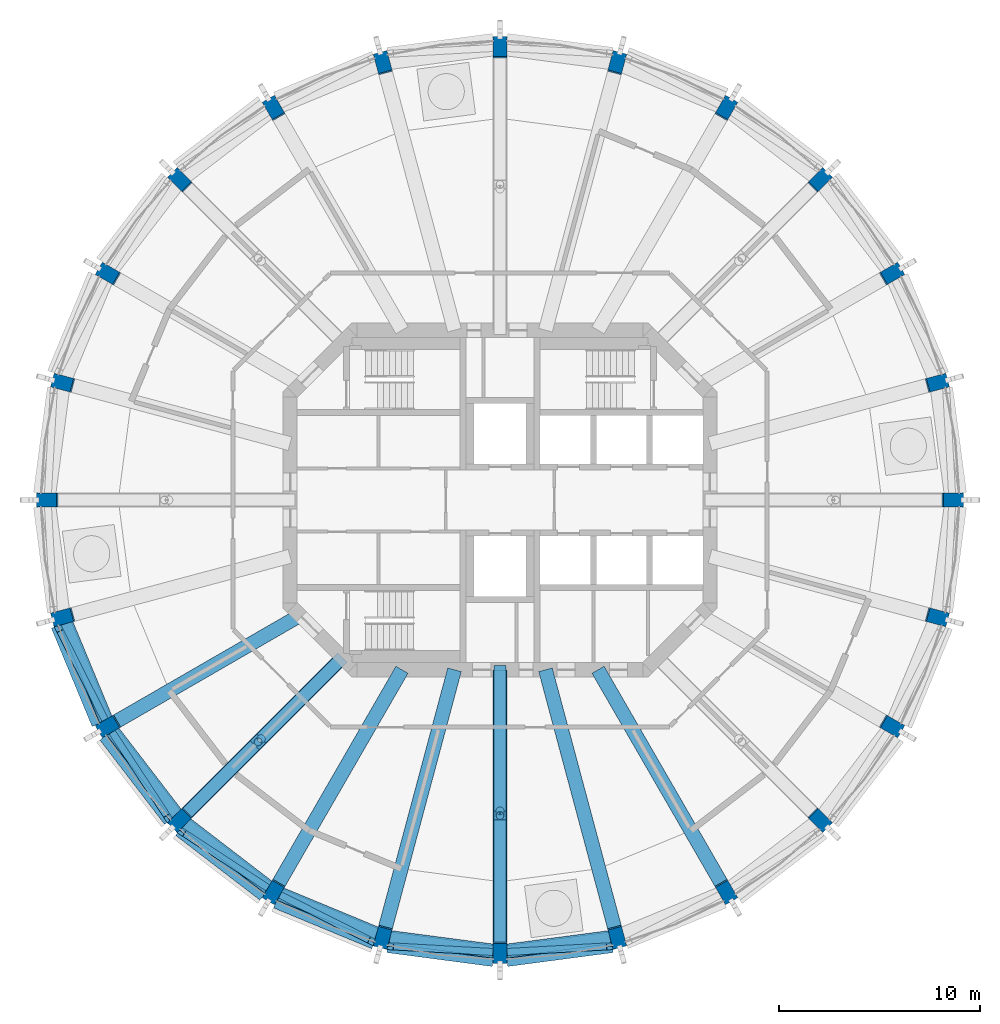
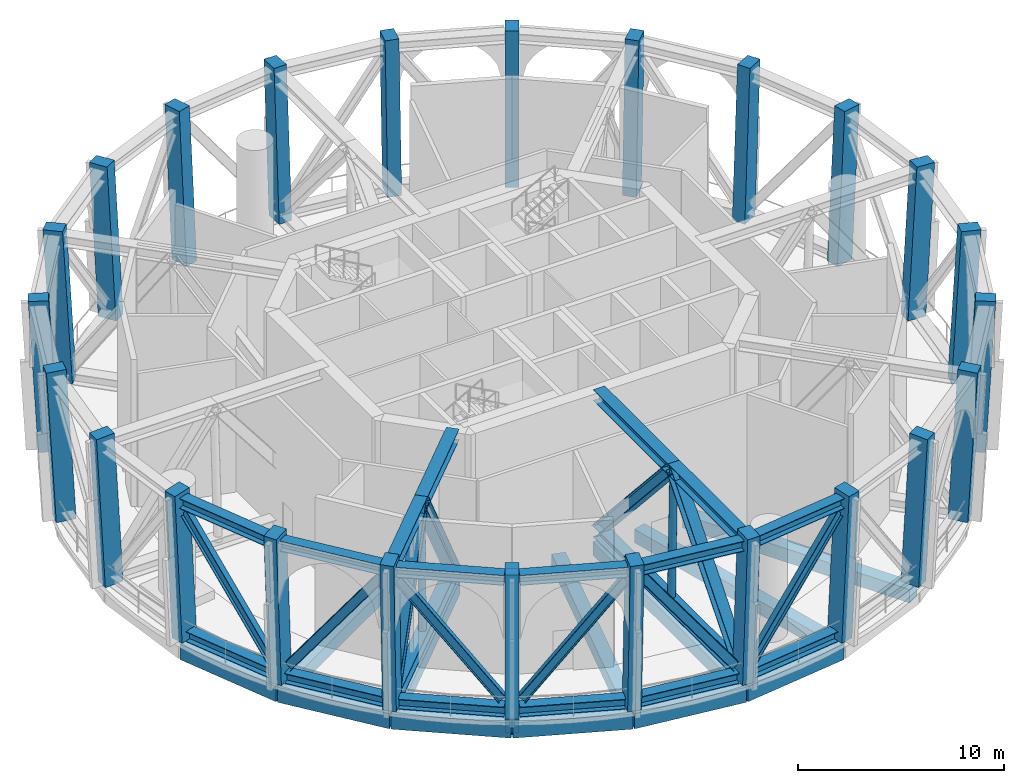
# One storey, part 1 of 12: 30 members, 24 columns, 13 beams.
"""IFC4 building model written with IfcOpenShell, lengths in metres."""

from ifc_helpers import new_model, si_unit, direction, frame, origin, origin_2d, place, context, subcontext, project, spatial, rectangle, hollow_circle, i_section, extrude, material, material_profile, profile_set, type_object, element, save


model = new_model("IFC4")

# Units and contexts
model_context = context("Model", 3, precision=1e-05, world=origin(), true_north=direction((0.0, 1.0)))
body_context = subcontext(model_context, "Body", "Model", "MODEL_VIEW")
ifc_project = project(units=[si_unit("LENGTHUNIT", "METRE"), si_unit("AREAUNIT", "SQUARE_METRE"), si_unit("VOLUMEUNIT", "CUBIC_METRE"), si_unit("PLANEANGLEUNIT", "RADIAN"), si_unit("MASSUNIT", "GRAM", prefix="KILO")], contexts=[model_context])

# Site, building, storey
site_placement = place(None, origin())
site = spatial("IfcSite", under=ifc_project, at=site_placement, CompositionType="ELEMENT")
building_placement = place(site_placement, origin())
building = spatial("IfcBuilding", under=site, at=building_placement, Name="Torre Triforio", CompositionType="ELEMENT")
storey_placement = place(building_placement, frame((0.0, 0.0, 183.800048828125)))
storey = spatial("IfcBuildingStorey", under=building, at=storey_placement, Name="L42", CompositionType="ELEMENT", Elevation=183.800048828125)

# Columns
ifc_material_1 = material(Name="Concrete C50", Category="concrete")
ifc_material_profile_1 = material_profile(ifc_material_1, rectangle(XDim=0.699951171875, YDim=1.0, at=origin_2d()), Name="RC 700x1000")
ifc_profile_set_1 = profile_set([ifc_material_profile_1], Name="Concrete C50")
column_type = type_object("IfcColumnType", Name="Pier RC 700x1000 C50", PredefinedType="COLUMN", material=ifc_profile_set_1)
column_1_placement = place(storey_placement, frame((22.50146484375, 0.0, 0.027587890625), z_axis=(0.055486622836, 0.0, 0.998459430666), x_axis=(0.0, 1.0, 0.0)))
element("IfcColumn", 1, at=column_1_placement, inside=storey, type_object=column_type, Name="COL.R.L42.00", PredefinedType="COLUMN", context=body_context, shape_type="SweptSolid", body=[
    extrude(rectangle(XDim=0.699951171875, YDim=1.0, at=origin_2d()), origin(), (0.0, 0.0, 1.0), 8.95849609375),
])
column_2_placement = place(storey_placement, frame((21.73486328125, 5.82373046875, 0.027587890625), z_axis=(0.053578977488, 0.014362218279, 0.998460324629), x_axis=(-0.258916171208, 0.965899796194, 0.0)))
element("IfcColumn", 2, at=column_2_placement, inside=storey, type_object=column_type, Name="COL.R.L42.01", PredefinedType="COLUMN", context=body_context, shape_type="SweptSolid", body=[
    extrude(rectangle(XDim=0.699951171875, YDim=1.0, at=origin_2d()), origin(), (0.0, 0.0, 1.0), 8.958251953125),
])
for number, where, z_axis, x_axis, name in (
    (3, (19.48681640625, 11.250732421875, 0.027587890625), (0.048046633217, 0.027743319691, 0.998459728406), (-0.500048435424, 0.865997437773, 0.0), "COL.R.L42.02"),
    (4, (15.910888671875, 15.910888671875, 0.027587890625), (0.03924394911, 0.03924394911, 0.998458724693), (-0.707106781187, 0.707106781187, 0.0), "COL.R.L42.03"),
    (5, (11.250732421875, 19.48681640625, 0.027587890625), (0.027743319691, 0.048046633217, 0.998459728406), (-0.865997437773, 0.500048435424, 0.0), "COL.R.L42.04"),
):
    element("IfcColumn", number, at=place(storey_placement, frame(where, z_axis=z_axis, x_axis=x_axis)), inside=storey, type_object=column_type, Name=name, PredefinedType="COLUMN", context=body_context, shape_type="SweptSolid", body=[
        extrude(rectangle(XDim=0.699951171875, YDim=1.0, at=origin_2d()), origin(), (0.0, 0.0, 1.0), 8.95849609375),
    ])
column_3_placement = place(storey_placement, frame((5.82373046875, 21.73486328125, 0.027587890625), z_axis=(0.014362218279, 0.053578977488, 0.998460324629), x_axis=(-0.965899796194, 0.258916171208, 0.0)))
element("IfcColumn", 6, at=column_3_placement, inside=storey, type_object=column_type, Name="COL.R.L42.05", PredefinedType="COLUMN", context=body_context, shape_type="SweptSolid", body=[
    extrude(rectangle(XDim=0.699951171875, YDim=1.0, at=origin_2d()), origin(), (0.0, 0.0, 1.0), 8.958251953125),
])
column_4_placement = place(storey_placement, frame((0.0, 22.50146484375, 0.027587890625), z_axis=(0.0, 0.055486622836, 0.998459430666), x_axis=(-1.0, 0.0, 0.0)))
element("IfcColumn", 7, at=column_4_placement, inside=storey, type_object=column_type, Name="COL.R.L42.06", PredefinedType="COLUMN", context=body_context, shape_type="SweptSolid", body=[
    extrude(rectangle(XDim=0.699951171875, YDim=1.0, at=origin_2d()), origin(), (0.0, 0.0, 1.0), 8.95849609375),
])
column_5_placement = place(storey_placement, frame((-5.82373046875, 21.73486328125, 0.027587890625), z_axis=(-0.014362218279, 0.053578977488, 0.998460324629), x_axis=(-0.965899796194, -0.258916171208, 0.0)))
element("IfcColumn", 8, at=column_5_placement, inside=storey, type_object=column_type, Name="COL.R.L42.07", PredefinedType="COLUMN", context=body_context, shape_type="SweptSolid", body=[
    extrude(rectangle(XDim=0.699951171875, YDim=1.0, at=origin_2d()), origin(), (0.0, 0.0, 1.0), 8.958251953125),
])
for number, where, z_axis, x_axis, name in (
    (9, (-11.250732421875, 19.48681640625, 0.027587890625), (-0.027743319691, 0.048046633217, 0.998459728406), (-0.865997437773, -0.500048435424, 0.0), "COL.R.L42.08"),
    (10, (-15.910888671875, 15.910888671875, 0.027587890625), (-0.03924394911, 0.03924394911, 0.998458724693), (-0.707106781187, -0.707106781187, 0.0), "COL.R.L42.09"),
    (11, (-19.48681640625, 11.250732421875, 0.027587890625), (-0.048046633217, 0.027743319691, 0.998459728406), (-0.500048435424, -0.865997437773, 0.0), "COL.R.L42.10"),
):
    element("IfcColumn", number, at=place(storey_placement, frame(where, z_axis=z_axis, x_axis=x_axis)), inside=storey, type_object=column_type, Name=name, PredefinedType="COLUMN", context=body_context, shape_type="SweptSolid", body=[
        extrude(rectangle(XDim=0.699951171875, YDim=1.0, at=origin_2d()), origin(), (0.0, 0.0, 1.0), 8.95849609375),
    ])
column_6_placement = place(storey_placement, frame((-21.73486328125, 5.82373046875, 0.027587890625), z_axis=(-0.053578977488, 0.014362218279, 0.998460324629), x_axis=(-0.258916171208, -0.965899796194, 0.0)))
element("IfcColumn", 12, at=column_6_placement, inside=storey, type_object=column_type, Name="COL.R.L42.11", PredefinedType="COLUMN", context=body_context, shape_type="SweptSolid", body=[
    extrude(rectangle(XDim=0.699951171875, YDim=1.0, at=origin_2d()), origin(), (0.0, 0.0, 1.0), 8.958251953125),
])
column_7_placement = place(storey_placement, frame((-22.50146484375, 0.0, 0.027587890625), z_axis=(-0.055486622836, 0.0, 0.998459430666), x_axis=(0.0, -1.0, 0.0)))
element("IfcColumn", 13, at=column_7_placement, inside=storey, type_object=column_type, Name="COL.R.L42.12", PredefinedType="COLUMN", context=body_context, shape_type="SweptSolid", body=[
    extrude(rectangle(XDim=0.699951171875, YDim=1.0, at=origin_2d()), origin(), (0.0, 0.0, 1.0), 8.95849609375),
])
column_8_placement = place(storey_placement, frame((-21.73486328125, -5.82373046875, 0.027587890625), z_axis=(-0.053578977488, -0.014362218279, 0.998460324629), x_axis=(0.258916171208, -0.965899796194, 0.0)))
element("IfcColumn", 14, at=column_8_placement, inside=storey, type_object=column_type, Name="COL.R.L42.13", PredefinedType="COLUMN", context=body_context, shape_type="SweptSolid", body=[
    extrude(rectangle(XDim=0.699951171875, YDim=1.0, at=origin_2d()), origin(), (0.0, 0.0, 1.0), 8.958251953125),
])
for number, where, z_axis, x_axis, name in (
    (15, (-19.48681640625, -11.250732421875, 0.027587890625), (-0.048046633217, -0.027743319691, 0.998459728406), (0.500048435424, -0.865997437773, 0.0), "COL.R.L42.14"),
    (16, (-15.910888671875, -15.910888671875, 0.027587890625), (-0.03924394911, -0.03924394911, 0.998458724693), (0.707106781187, -0.707106781187, 0.0), "COL.R.L42.15"),
    (17, (-11.250732421875, -19.48681640625, 0.027587890625), (-0.027743319691, -0.048046633217, 0.998459728406), (0.865997437773, -0.500048435424, 0.0), "COL.R.L42.16"),
):
    element("IfcColumn", number, at=place(storey_placement, frame(where, z_axis=z_axis, x_axis=x_axis)), inside=storey, type_object=column_type, Name=name, PredefinedType="COLUMN", context=body_context, shape_type="SweptSolid", body=[
        extrude(rectangle(XDim=0.699951171875, YDim=1.0, at=origin_2d()), origin(), (0.0, 0.0, 1.0), 8.95849609375),
    ])
column_9_placement = place(storey_placement, frame((-5.82373046875, -21.73486328125, 0.027587890625), z_axis=(-0.014362218279, -0.053578977488, 0.998460324629), x_axis=(0.965899796194, -0.258916171208, 0.0)))
element("IfcColumn", 18, at=column_9_placement, inside=storey, type_object=column_type, Name="COL.R.L42.17", PredefinedType="COLUMN", context=body_context, shape_type="SweptSolid", body=[
    extrude(rectangle(XDim=0.699951171875, YDim=1.0, at=origin_2d()), origin(), (0.0, 0.0, 1.0), 8.958251953125),
])
column_10_placement = place(storey_placement, frame((0.0, -22.50146484375, 0.027587890625), z_axis=(0.0, -0.055486622836, 0.998459430666), x_axis=(1.0, 0.0, 0.0)))
element("IfcColumn", 19, at=column_10_placement, inside=storey, type_object=column_type, Name="COL.R.L42.18", PredefinedType="COLUMN", context=body_context, shape_type="SweptSolid", body=[
    extrude(rectangle(XDim=0.699951171875, YDim=1.0, at=origin_2d()), origin(), (0.0, 0.0, 1.0), 8.95849609375),
])
column_11_placement = place(storey_placement, frame((5.82373046875, -21.73486328125, 0.027587890625), z_axis=(0.014362218279, -0.053578977488, 0.998460324629), x_axis=(0.965899796194, 0.258916171208, 0.0)))
element("IfcColumn", 20, at=column_11_placement, inside=storey, type_object=column_type, Name="COL.R.L42.19", PredefinedType="COLUMN", context=body_context, shape_type="SweptSolid", body=[
    extrude(rectangle(XDim=0.699951171875, YDim=1.0, at=origin_2d()), origin(), (0.0, 0.0, 1.0), 8.958251953125),
])
for number, where, z_axis, x_axis, name in (
    (21, (11.250732421875, -19.48681640625, 0.027587890625), (0.027743319691, -0.048046633217, 0.998459728406), (0.865997437773, 0.500048435424, 0.0), "COL.R.L42.20"),
    (22, (15.910888671875, -15.910888671875, 0.027587890625), (0.03924394911, -0.03924394911, 0.998458724693), (0.707106781187, 0.707106781187, 0.0), "COL.R.L42.21"),
    (23, (19.48681640625, -11.250732421875, 0.027587890625), (0.048046633217, -0.027743319691, 0.998459728406), (0.500048435424, 0.865997437773, 0.0), "COL.R.L42.22"),
):
    element("IfcColumn", number, at=place(storey_placement, frame(where, z_axis=z_axis, x_axis=x_axis)), inside=storey, type_object=column_type, Name=name, PredefinedType="COLUMN", context=body_context, shape_type="SweptSolid", body=[
        extrude(rectangle(XDim=0.699951171875, YDim=1.0, at=origin_2d()), origin(), (0.0, 0.0, 1.0), 8.95849609375),
    ])
column_12_placement = place(storey_placement, frame((21.73486328125, -5.82373046875, 0.027587890625), z_axis=(0.053578977488, -0.014362218279, 0.998460324629), x_axis=(0.258916171208, 0.965899796194, 0.0)))
element("IfcColumn", 24, at=column_12_placement, inside=storey, type_object=column_type, Name="COL.R.L42.23", PredefinedType="COLUMN", context=body_context, shape_type="SweptSolid", body=[
    extrude(rectangle(XDim=0.699951171875, YDim=1.0, at=origin_2d()), origin(), (0.0, 0.0, 1.0), 8.958251953125),
])

# Members
ifc_material_2 = material(Name="Steel ASTM A572 Gr 50", Category="steel")
ifc_material_profile_2 = material_profile(ifc_material_2, i_section(OverallWidth=0.60009765625, OverallDepth=0.60009765625, WebThickness=0.02490234375, FlangeThickness=0.031494140625, at=origin_2d()), Name="CS 600x402")
ifc_profile_set_2 = profile_set([ifc_material_profile_2], Name="Steel ASTM A572 Gr 50")
member_type_1 = type_object("IfcMemberType", Name="Belt truss chord CS 600x402", PredefinedType="CHORD", material=ifc_profile_set_2)
member_1_placement = place(storey_placement, frame((-21.6142578125, -6.15380859375, 0.300048828125), z_axis=(0.382683922195, -0.923879329617, 0.0), x_axis=(0.923879329617, 0.382683922195, 0.0)))
element("IfcMember", 25, at=member_1_placement, inside=storey, type_object=member_type_1, Name="BT.L42.13.CB", PredefinedType="CHORD", context=body_context, shape_type="SweptSolid", body=[
    extrude(i_section(OverallWidth=0.60009765625, OverallDepth=0.60009765625, WebThickness=0.02490234375, FlangeThickness=0.031494140625, at=origin_2d()), origin(), (0.0, 0.0, 1.0), 5.172119140625),
])
member_2_placement = place(storey_placement, frame((-22.050048828125, -6.270751953125, 8.419921875), z_axis=(0.382671106265, -0.923884638053, 0.0), x_axis=(0.923884638053, 0.382671106265, 0.0)))
element("IfcMember", 26, at=member_2_placement, inside=storey, type_object=member_type_1, Name="BT.L42.13.CT", PredefinedType="CHORD", context=body_context, shape_type="SweptSolid", body=[
    extrude(i_section(OverallWidth=0.60009765625, OverallDepth=0.60009765625, WebThickness=0.02490234375, FlangeThickness=0.031494140625, at=origin_2d()), origin(), (0.0, 0.0, 1.0), 5.28955078125),
])
member_3_placement = place(storey_placement, frame((-19.28515625, -11.538330078125, 0.300048828125), z_axis=(0.608777333053, -0.793341136436, 0.0), x_axis=(0.793341136436, 0.608777333053, 0.0)))
element("IfcMember", 27, at=member_3_placement, inside=storey, type_object=member_type_1, Name="BT.L42.14.CB", PredefinedType="CHORD", context=body_context, shape_type="SweptSolid", body=[
    extrude(i_section(OverallWidth=0.60009765625, OverallDepth=0.60009765625, WebThickness=0.02490234375, FlangeThickness=0.031494140625, at=origin_2d()), origin(), (0.0, 0.0, 1.0), 5.172119140625),
])
member_4_placement = place(storey_placement, frame((-19.67578125, -11.763916015625, 8.419921875), z_axis=(0.608751235052, -0.793361162285, 0.0), x_axis=(0.793361162285, 0.608751235052, 0.0)))
element("IfcMember", 28, at=member_4_placement, inside=storey, type_object=member_type_1, Name="BT.L42.14.CT", PredefinedType="CHORD", context=body_context, shape_type="SweptSolid", body=[
    extrude(i_section(OverallWidth=0.60009765625, OverallDepth=0.60009765625, WebThickness=0.02490234375, FlangeThickness=0.031494140625, at=origin_2d()), origin(), (0.0, 0.0, 1.0), 5.289794921875),
])
member_5_placement = place(storey_placement, frame((-15.6416015625, -16.136474609375, 0.300048828125), z_axis=(0.793341136436, -0.608777333053, 0.0), x_axis=(0.608777333053, 0.793341136436, 0.0)))
element("IfcMember", 29, at=member_5_placement, inside=storey, type_object=member_type_1, Name="BT.L42.15.CB", PredefinedType="CHORD", context=body_context, shape_type="SweptSolid", body=[
    extrude(i_section(OverallWidth=0.60009765625, OverallDepth=0.60009765625, WebThickness=0.02490234375, FlangeThickness=0.031494140625, at=origin_2d()), origin(), (0.0, 0.0, 1.0), 5.172119140625),
])
member_6_placement = place(storey_placement, frame((-15.960693359375, -16.45556640625, 8.419921875), z_axis=(0.793361162285, -0.608751235052, 0.0), x_axis=(0.608751235052, 0.793361162285, 0.0)))
element("IfcMember", 30, at=member_6_placement, inside=storey, type_object=member_type_1, Name="BT.L42.15.CT", PredefinedType="CHORD", context=body_context, shape_type="SweptSolid", body=[
    extrude(i_section(OverallWidth=0.60009765625, OverallDepth=0.60009765625, WebThickness=0.02490234375, FlangeThickness=0.031494140625, at=origin_2d()), origin(), (0.0, 0.0, 1.0), 5.289794921875),
])
member_7_placement = place(storey_placement, frame((-10.93212890625, -19.635009765625, 0.300048828125), z_axis=(0.923879329617, -0.382683922195, 0.0), x_axis=(0.382683922195, 0.923879329617, 0.0)))
element("IfcMember", 31, at=member_7_placement, inside=storey, type_object=member_type_1, Name="BT.L42.16.CB", PredefinedType="CHORD", context=body_context, shape_type="SweptSolid", body=[
    extrude(i_section(OverallWidth=0.60009765625, OverallDepth=0.60009765625, WebThickness=0.02490234375, FlangeThickness=0.031494140625, at=origin_2d()), origin(), (0.0, 0.0, 1.0), 5.172119140625),
])
member_8_placement = place(storey_placement, frame((-11.15771484375, -20.02587890625, 8.419921875), z_axis=(0.923884638053, -0.382671106265, 0.0), x_axis=(0.382671106265, 0.923884638053, 0.0)))
element("IfcMember", 32, at=member_8_placement, inside=storey, type_object=member_type_1, Name="BT.L42.16.CT", PredefinedType="CHORD", context=body_context, shape_type="SweptSolid", body=[
    extrude(i_section(OverallWidth=0.60009765625, OverallDepth=0.60009765625, WebThickness=0.02490234375, FlangeThickness=0.031494140625, at=origin_2d()), origin(), (0.0, 0.0, 1.0), 5.28955078125),
])
member_9_placement = place(storey_placement, frame((-5.477783203125, -21.79541015625, 0.300048828125), z_axis=(0.99143934679, -0.13056807281, 0.0), x_axis=(0.13056807281, 0.99143934679, 0.0)))
element("IfcMember", 33, at=member_9_placement, inside=storey, type_object=member_type_1, Name="BT.L42.17.CB", PredefinedType="CHORD", context=body_context, shape_type="SweptSolid", body=[
    extrude(i_section(OverallWidth=0.60009765625, OverallDepth=0.60009765625, WebThickness=0.02490234375, FlangeThickness=0.031494140625, at=origin_2d()), origin(), (0.0, 0.0, 1.0), 5.171875),
])
member_10_placement = place(storey_placement, frame((-5.594482421875, -22.231201171875, 8.419921875), z_axis=(0.991445024435, -0.130524953638, 0.0), x_axis=(0.130524953638, 0.991445024435, 0.0)))
element("IfcMember", 34, at=member_10_placement, inside=storey, type_object=member_type_1, Name="BT.L42.17.CT", PredefinedType="CHORD", context=body_context, shape_type="SweptSolid", body=[
    extrude(i_section(OverallWidth=0.60009765625, OverallDepth=0.60009765625, WebThickness=0.02490234375, FlangeThickness=0.031494140625, at=origin_2d()), origin(), (0.0, 0.0, 1.0), 5.28955078125),
])
member_11_placement = place(storey_placement, frame((0.35009765625, -22.470703125, 0.300048828125), z_axis=(0.99143934679, 0.13056807281, 0.0), x_axis=(-0.13056807281, 0.99143934679, 0.0)))
element("IfcMember", 35, at=member_11_placement, inside=storey, type_object=member_type_1, Name="BT.L42.18.CB", PredefinedType="CHORD", context=body_context, shape_type="SweptSolid", body=[
    extrude(i_section(OverallWidth=0.60009765625, OverallDepth=0.60009765625, WebThickness=0.02490234375, FlangeThickness=0.031494140625, at=origin_2d()), origin(), (0.0, 0.0, 1.0), 5.171875),
])
member_12_placement = place(storey_placement, frame((0.35009765625, -22.921630859375, 8.419921875), z_axis=(0.991445024435, 0.130524953638, 0.0), x_axis=(-0.130524953638, 0.991445024435, 0.0)))
element("IfcMember", 36, at=member_12_placement, inside=storey, type_object=member_type_1, Name="BT.L42.18.CT", PredefinedType="CHORD", context=body_context, shape_type="SweptSolid", body=[
    extrude(i_section(OverallWidth=0.60009765625, OverallDepth=0.60009765625, WebThickness=0.02490234375, FlangeThickness=0.031494140625, at=origin_2d()), origin(), (0.0, 0.0, 1.0), 5.28955078125),
])
ifc_material_profile_3 = material_profile(ifc_material_2, i_section(OverallWidth=0.35009765625, OverallDepth=0.5, WebThickness=0.01904296875, FlangeThickness=0.02490234375, at=origin_2d()), Name="CVS 500x204")
ifc_profile_set_3 = profile_set([ifc_material_profile_3], Name="Steel ASTM A572 Gr 50")
member_type_2 = type_object("IfcMemberType", Name="Belt truss diagonal CVS 500x204", PredefinedType="BRACE", material=ifc_profile_set_3)
for number, where, z_axis, x_axis, name in (
    (37, (-21.9833984375, -6.343994140625, 7.8095703125), (0.266686290397, -0.527758432555, -0.806442471216), (0.892520251583, 0.451007317583, 0.0), "BT.L42.13.D"),
    (38, (-19.2587890625, -11.626953125, 0.90087890625), (0.323709922375, -0.49484101524, 0.806439244948), (0.836845635792, 0.547438929795, 0.0), "BT.L42.14.D"),
    (39, (-15.8662109375, -16.485595703125, 7.8095703125), (0.49484101524, -0.323709922375, -0.806439244948), (0.547438929795, 0.836845635792, 0.0), "BT.L42.15.D"),
    (40, (-10.865234375, -19.69873046875, 0.90087890625), (0.527758432555, -0.266686290397, 0.806442471216), (0.451007317583, 0.892520251583, 0.0), "BT.L42.16.D"),
):
    element("IfcMember", number, at=place(storey_placement, frame(where, z_axis=z_axis, x_axis=x_axis)), inside=storey, type_object=member_type_2, Name=name, PredefinedType="BRACE", context=body_context, shape_type="SweptSolid", body=[
        extrude(i_section(OverallWidth=0.35009765625, OverallDepth=0.5, WebThickness=0.01904296875, FlangeThickness=0.02490234375, at=origin_2d()), origin(), (0.0, 0.0, 1.0), 8.56689453125),
    ])
for number, where, z_axis, x_axis, name in (
    (41, (-5.49755859375, -22.210205078125, 7.8095703125), (0.590378322033, -0.032915956842, -0.806455191972), (0.055667552149, 0.998449359576, 0.0), "BT.L42.17.D"),
    (42, (0.43994140625, -22.4921875, 0.90087890625), (0.590378322033, 0.032915956842, 0.806455191972), (-0.055667552149, 0.998449359576, 0.0), "BT.L42.18.D"),
):
    element("IfcMember", number, at=place(storey_placement, frame(where, z_axis=z_axis, x_axis=x_axis)), inside=storey, type_object=member_type_2, Name=name, PredefinedType="BRACE", context=body_context, shape_type="SweptSolid", body=[
        extrude(i_section(OverallWidth=0.35009765625, OverallDepth=0.5, WebThickness=0.01904296875, FlangeThickness=0.02490234375, at=origin_2d()), origin(), (0.0, 0.0, 1.0), 8.566650390625),
    ])
ifc_material_profile_4 = material_profile(ifc_material_2, i_section(OverallWidth=0.64990234375, OverallDepth=0.64990234375, WebThickness=0.02490234375, FlangeThickness=0.031494140625, at=origin_2d()), Name="CS 650x437")
ifc_profile_set_4 = profile_set([ifc_material_profile_4], Name="Steel ASTM A572 Gr 50")
member_type_3 = type_object("IfcMemberType", Name="Outrigger bottom chord CS 650x437", PredefinedType="CHORD", material=ifc_profile_set_4)
member_13_placement = place(storey_placement, frame((-7.847412109375, -7.847412109375, 0.324951171875), z_axis=(-0.707106781187, -0.707106781187, 0.0), x_axis=(0.707106781187, -0.707106781187, 0.0)))
element("IfcMember", 43, at=member_13_placement, inside=storey, type_object=member_type_3, Name="OR.6.CB.1", PredefinedType="CHORD", context=body_context, shape_type="SweptSolid", body=[
    extrude(i_section(OverallWidth=0.64990234375, OverallDepth=0.64990234375, WebThickness=0.02490234375, FlangeThickness=0.031494140625, at=origin_2d()), origin(), (0.0, 0.0, 1.0), 10.920166015625),
])
member_14_placement = place(storey_placement, frame((0.0, -8.449951171875, 0.324951171875), z_axis=(0.0, -1.0, 0.0), x_axis=(1.0, 0.0, 0.0)))
element("IfcMember", 44, at=member_14_placement, inside=storey, type_object=member_type_3, Name="OR.7.CB.1", PredefinedType="CHORD", context=body_context, shape_type="SweptSolid", body=[
    extrude(i_section(OverallWidth=0.64990234375, OverallDepth=0.64990234375, WebThickness=0.02490234375, FlangeThickness=0.031494140625, at=origin_2d()), origin(), (0.0, 0.0, 1.0), 13.568115234375),
])
ifc_material_profile_5 = material_profile(ifc_material_2, i_section(OverallWidth=0.64990234375, OverallDepth=0.64990234375, WebThickness=0.02490234375, FlangeThickness=0.031494140625, at=origin_2d()), Name="CS 650x437")
ifc_profile_set_5 = profile_set([ifc_material_profile_5], Name="Steel ASTM A572 Gr 50")
member_type_4 = type_object("IfcMemberType", Name="Outrigger top chord CS 650x437", PredefinedType="CHORD", material=ifc_profile_set_5)
member_15_placement = place(storey_placement, frame((-7.847412109375, -7.847412109375, 8.39501953125), z_axis=(-0.707106781187, -0.707106781187, 0.0), x_axis=(0.707106781187, -0.707106781187, 0.0)))
element("IfcMember", 45, at=member_15_placement, inside=storey, type_object=member_type_4, Name="OR.6.CT.1", PredefinedType="CHORD", context=body_context, shape_type="SweptSolid", body=[
    extrude(i_section(OverallWidth=0.64990234375, OverallDepth=0.64990234375, WebThickness=0.02490234375, FlangeThickness=0.031494140625, at=origin_2d()), origin(), (0.0, 0.0, 1.0), 5.9345703125),
])
member_16_placement = place(storey_placement, frame((-12.043701171875, -12.043701171875, 8.39501953125), z_axis=(-0.707106781187, -0.707106781187, 0.0), x_axis=(0.707106781187, -0.707106781187, 0.0)))
element("IfcMember", 46, at=member_16_placement, inside=storey, type_object=member_type_4, Name="OR.6.CT.2", PredefinedType="CHORD", context=body_context, shape_type="SweptSolid", body=[
    extrude(i_section(OverallWidth=0.64990234375, OverallDepth=0.64990234375, WebThickness=0.02490234375, FlangeThickness=0.031494140625, at=origin_2d()), origin(), (0.0, 0.0, 1.0), 5.43408203125),
])
member_17_placement = place(storey_placement, frame((0.0, -8.449951171875, 8.39501953125), z_axis=(0.0, -1.0, 0.0), x_axis=(1.0, 0.0, 0.0)))
element("IfcMember", 47, at=member_17_placement, inside=storey, type_object=member_type_4, Name="OR.7.CT.1", PredefinedType="CHORD", context=body_context, shape_type="SweptSolid", body=[
    extrude(i_section(OverallWidth=0.64990234375, OverallDepth=0.64990234375, WebThickness=0.02490234375, FlangeThickness=0.031494140625, at=origin_2d()), origin(), (0.0, 0.0, 1.0), 7.25830078125),
])
member_18_placement = place(storey_placement, frame((0.0, -15.708251953125, 8.39501953125), z_axis=(0.0, -1.0, 0.0), x_axis=(1.0, 0.0, 0.0)))
element("IfcMember", 48, at=member_18_placement, inside=storey, type_object=member_type_4, Name="OR.7.CT.2", PredefinedType="CHORD", context=body_context, shape_type="SweptSolid", body=[
    extrude(i_section(OverallWidth=0.64990234375, OverallDepth=0.64990234375, WebThickness=0.02490234375, FlangeThickness=0.031494140625, at=origin_2d()), origin(), (0.0, 0.0, 1.0), 6.758056640625),
])
ifc_material_profile_6 = material_profile(ifc_material_2, i_section(OverallWidth=0.60009765625, OverallDepth=0.60009765625, WebThickness=0.02490234375, FlangeThickness=0.031494140625, at=origin_2d()), Name="CS 600x402")
ifc_profile_set_6 = profile_set([ifc_material_profile_6], Name="Steel ASTM A572 Gr 50")
member_type_5 = type_object("IfcMemberType", Name="Outrigger truss diagonal CS 600x402", PredefinedType="BRACE", material=ifc_profile_set_6)
member_19_placement = place(storey_placement, frame((-7.847412109375, -7.847412109375, 0.324951171875), z_axis=(-0.418909654457, -0.418909654457, 0.805623611128), x_axis=(0.707106781187, -0.707106781187, 0.0)))
element("IfcMember", 49, at=member_19_placement, inside=storey, type_object=member_type_5, Name="OR.6.D.1", PredefinedType="BRACE", context=body_context, shape_type="SweptSolid", body=[
    extrude(i_section(OverallWidth=0.60009765625, OverallDepth=0.60009765625, WebThickness=0.02490234375, FlangeThickness=0.031494140625, at=origin_2d()), origin(), (0.0, 0.0, 1.0), 10.01708984375),
])
member_20_placement = place(storey_placement, frame((-12.043701171875, -12.043701171875, 8.39501953125), z_axis=(-0.397511906733, -0.397511906733, -0.827023922272), x_axis=(0.707106781187, -0.707106781187, 0.0)))
element("IfcMember", 50, at=member_20_placement, inside=storey, type_object=member_type_5, Name="OR.6.D.2", PredefinedType="BRACE", context=body_context, shape_type="SweptSolid", body=[
    extrude(i_section(OverallWidth=0.60009765625, OverallDepth=0.60009765625, WebThickness=0.02490234375, FlangeThickness=0.031494140625, at=origin_2d()), origin(), (0.0, 0.0, 1.0), 9.758056640625),
])
member_21_placement = place(storey_placement, frame((0.0, -8.449951171875, 0.324951171875), z_axis=(0.0, -0.668722366185, 0.743512203641), x_axis=(1.0, 0.0, 0.0)))
element("IfcMember", 51, at=member_21_placement, inside=storey, type_object=member_type_5, Name="OR.7.D.1", PredefinedType="BRACE", context=body_context, shape_type="SweptSolid", body=[
    extrude(i_section(OverallWidth=0.60009765625, OverallDepth=0.60009765625, WebThickness=0.02490234375, FlangeThickness=0.031494140625, at=origin_2d()), origin(), (0.0, 0.0, 1.0), 10.85400390625),
])
member_22_placement = place(storey_placement, frame((0.0, -15.708251953125, 8.39501953125), z_axis=(0.0, -0.644909345618, -0.764259076449), x_axis=(1.0, 0.0, 0.0)))
element("IfcMember", 52, at=member_22_placement, inside=storey, type_object=member_type_5, Name="OR.7.D.2", PredefinedType="BRACE", context=body_context, shape_type="SweptSolid", body=[
    extrude(i_section(OverallWidth=0.60009765625, OverallDepth=0.60009765625, WebThickness=0.02490234375, FlangeThickness=0.031494140625, at=origin_2d()), origin(), (0.0, 0.0, 1.0), 10.559326171875),
])
ifc_material_profile_7 = material_profile(ifc_material_2, hollow_circle(Radius=0.203125, WallThickness=0.02001953125, at=origin_2d()), Name="CHS 406.4x20")
ifc_profile_set_7 = profile_set([ifc_material_profile_7], Name="Steel ASTM A572 Gr 50")
member_type_6 = type_object("IfcMemberType", Name="Outrigger truss post CHS 406.4x20", PredefinedType="POST", material=ifc_profile_set_7)
for number, where, z_axis, x_axis, name in (
    (53, (-11.885009765625, -11.885009765625, 0.324951171875), (-0.019656596681, -0.019656596681, 0.999613543533), (0.707106781187, -0.707106781187, 0.0), "OR.6.P.1"),
    (54, (0.0, -15.484130859375, 0.324951171875), (0.0, -0.027761191589, 0.999614583848), (1.0, 0.0, 0.0), "OR.7.P.1"),
):
    element("IfcMember", number, at=place(storey_placement, frame(where, z_axis=z_axis, x_axis=x_axis)), inside=storey, type_object=member_type_6, Name=name, PredefinedType="POST", context=body_context, shape_type="SweptSolid", body=[
        extrude(hollow_circle(Radius=0.203125, WallThickness=0.02001953125, at=origin_2d()), origin(), (0.0, 0.0, 1.0), 8.0732421875),
    ])

# Beams
ifc_material_3 = material(Name="Concrete C40", Category="concrete")
ifc_material_profile_8 = material_profile(ifc_material_3, rectangle(XDim=0.699951171875, YDim=0.800048828125, at=origin_2d()), Name="RC 700x800")
ifc_profile_set_8 = profile_set([ifc_material_profile_8], Name="Concrete C40")
beam_type_1 = type_object("IfcBeamType", Name="Radial beam RC 700x800 C40", PredefinedType="BEAM", material=ifc_profile_set_8)
beam_1_placement = place(storey_placement, frame((-9.9501953125, -5.744873046875, -0.679931640625), z_axis=(-0.866030871389, -0.499990529712, 0.0), x_axis=(0.499990529712, -0.866030871389, 0.0)))
element("IfcBeam", 55, at=beam_1_placement, inside=storey, type_object=beam_type_1, Name="BM.R.L42.14", PredefinedType="BEAM", context=body_context, shape_type="SweptSolid", body=[
    extrude(rectangle(XDim=0.699951171875, YDim=0.800048828125, at=origin_2d()), origin(), (0.0, 0.0, 1.0), 11.010498046875),
])
beam_2_placement = place(storey_placement, frame((-7.847412109375, -7.847412109375, -0.679931640625), z_axis=(-0.707106781187, -0.707106781187, 0.0), x_axis=(0.707106781187, -0.707106781187, 0.0)))
element("IfcBeam", 56, at=beam_2_placement, inside=storey, type_object=beam_type_1, Name="BM.R.L42.15", PredefinedType="BEAM", context=body_context, shape_type="SweptSolid", body=[
    extrude(rectangle(XDim=0.699951171875, YDim=0.800048828125, at=origin_2d()), origin(), (0.0, 0.0, 1.0), 11.402099609375),
])
beam_3_placement = place(storey_placement, frame((-4.878662109375, -8.449951171875, -0.679931640625), z_axis=(-0.499994440966, -0.866028613271, 0.0), x_axis=(0.866028613271, -0.499994440966, 0.0)))
element("IfcBeam", 57, at=beam_3_placement, inside=storey, type_object=beam_type_1, Name="BM.R.L42.16", PredefinedType="BEAM", context=body_context, shape_type="SweptSolid", body=[
    extrude(rectangle(XDim=0.699951171875, YDim=0.800048828125, at=origin_2d()), origin(), (0.0, 0.0, 1.0), 12.742919921875),
])
beam_4_placement = place(storey_placement, frame((-2.26416015625, -8.449951171875, -0.679931640625), z_axis=(-0.258821569245, -0.965925149944, 0.0), x_axis=(0.965925149944, -0.258821569245, 0.0)))
element("IfcBeam", 58, at=beam_4_placement, inside=storey, type_object=beam_type_1, Name="BM.R.L42.17", PredefinedType="BEAM", context=body_context, shape_type="SweptSolid", body=[
    extrude(rectangle(XDim=0.699951171875, YDim=0.800048828125, at=origin_2d()), origin(), (0.0, 0.0, 1.0), 13.751953125),
])
beam_5_placement = place(storey_placement, frame((0.0, -8.449951171875, -0.679931640625), z_axis=(0.0, -1.0, 0.0), x_axis=(1.0, 0.0, 0.0)))
element("IfcBeam", 59, at=beam_5_placement, inside=storey, type_object=beam_type_1, Name="BM.R.L42.18", PredefinedType="BEAM", context=body_context, shape_type="SweptSolid", body=[
    extrude(rectangle(XDim=0.699951171875, YDim=0.800048828125, at=origin_2d()), origin(), (0.0, 0.0, 1.0), 14.050048828125),
])
beam_6_placement = place(storey_placement, frame((2.26416015625, -8.449951171875, -0.679931640625), z_axis=(0.258821569245, -0.965925149944, 0.0), x_axis=(0.965925149944, 0.258821569245, 0.0)))
element("IfcBeam", 60, at=beam_6_placement, inside=storey, type_object=beam_type_1, Name="BM.R.L42.19", PredefinedType="BEAM", context=body_context, shape_type="SweptSolid", body=[
    extrude(rectangle(XDim=0.699951171875, YDim=0.800048828125, at=origin_2d()), origin(), (0.0, 0.0, 1.0), 13.751953125),
])
beam_7_placement = place(storey_placement, frame((4.878662109375, -8.449951171875, -0.679931640625), z_axis=(0.499994440966, -0.866028613271, 0.0), x_axis=(0.866028613271, 0.499994440966, 0.0)))
element("IfcBeam", 61, at=beam_7_placement, inside=storey, type_object=beam_type_1, Name="BM.R.L42.20", PredefinedType="BEAM", context=body_context, shape_type="SweptSolid", body=[
    extrude(rectangle(XDim=0.699951171875, YDim=0.800048828125, at=origin_2d()), origin(), (0.0, 0.0, 1.0), 12.742919921875),
])
ifc_material_profile_9 = material_profile(ifc_material_3, rectangle(XDim=0.699951171875, YDim=0.89990234375, at=origin_2d()), Name="RC 700x900")
ifc_profile_set_9 = profile_set([ifc_material_profile_9], Name="Concrete C40")
beam_type_2 = type_object("IfcBeamType", Name="Spandrel beam RC 700x900 C40", PredefinedType="SPANDREL", material=ifc_profile_set_9)
beam_8_placement = place(storey_placement, frame((-21.7333984375, -5.823486328125, -0.72998046875), z_axis=(0.382693194178, -0.923875488976, 0.0), x_axis=(0.923875488976, 0.382693194178, 0.0)))
element("IfcBeam", 62, at=beam_8_placement, inside=storey, type_object=beam_type_2, Name="BM.S.L42.13", PredefinedType="SPANDREL", context=body_context, shape_type="SweptSolid", body=[
    extrude(rectangle(XDim=0.699951171875, YDim=0.89990234375, at=origin_2d()), origin(), (0.0, 0.0, 1.0), 5.87353515625),
])
for number, where, z_axis, x_axis, name in (
    (63, (-19.485595703125, -11.25, -0.72998046875), (0.608762208108, -0.793352742466, 0.0), (0.793352742466, 0.608762208108, 0.0), "BM.S.L42.14"),
    (64, (-15.909912109375, -15.909912109375, -0.72998046875), (0.793352742466, -0.608762208108, 0.0), (0.608762208108, 0.793352742466, 0.0), "BM.S.L42.15"),
):
    element("IfcBeam", number, at=place(storey_placement, frame(where, z_axis=z_axis, x_axis=x_axis)), inside=storey, type_object=beam_type_2, Name=name, PredefinedType="SPANDREL", context=body_context, shape_type="SweptSolid", body=[
        extrude(rectangle(XDim=0.699951171875, YDim=0.89990234375, at=origin_2d()), origin(), (0.0, 0.0, 1.0), 5.873779296875),
    ])
beam_9_placement = place(storey_placement, frame((-11.25, -19.485595703125, -0.72998046875), z_axis=(0.923875488976, -0.382693194178, 0.0), x_axis=(0.382693194178, 0.923875488976, 0.0)))
element("IfcBeam", 65, at=beam_9_placement, inside=storey, type_object=beam_type_2, Name="BM.S.L42.16", PredefinedType="SPANDREL", context=body_context, shape_type="SweptSolid", body=[
    extrude(rectangle(XDim=0.699951171875, YDim=0.89990234375, at=origin_2d()), origin(), (0.0, 0.0, 1.0), 5.87353515625),
])
for number, where, z_axis, x_axis, name in (
    (66, (-5.823486328125, -21.7333984375, -0.72998046875), (0.991446512747, -0.13051364818, 0.0), (0.13051364818, 0.991446512747, 0.0), "BM.S.L42.17"),
    (67, (0.0, -22.5, -0.72998046875), (0.991446512747, 0.13051364818, 0.0), (-0.13051364818, 0.991446512747, 0.0), "BM.S.L42.18"),
):
    element("IfcBeam", number, at=place(storey_placement, frame(where, z_axis=z_axis, x_axis=x_axis)), inside=storey, type_object=beam_type_2, Name=name, PredefinedType="SPANDREL", context=body_context, shape_type="SweptSolid", body=[
        extrude(rectangle(XDim=0.699951171875, YDim=0.89990234375, at=origin_2d()), origin(), (0.0, 0.0, 1.0), 5.873779296875),
    ])

save(model, "model.ifc")
